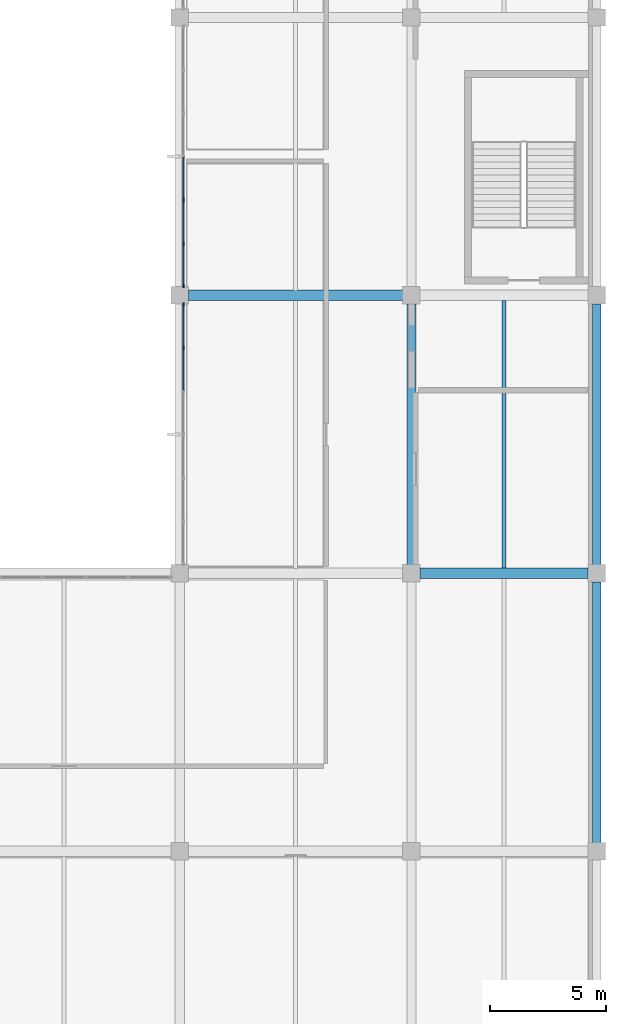
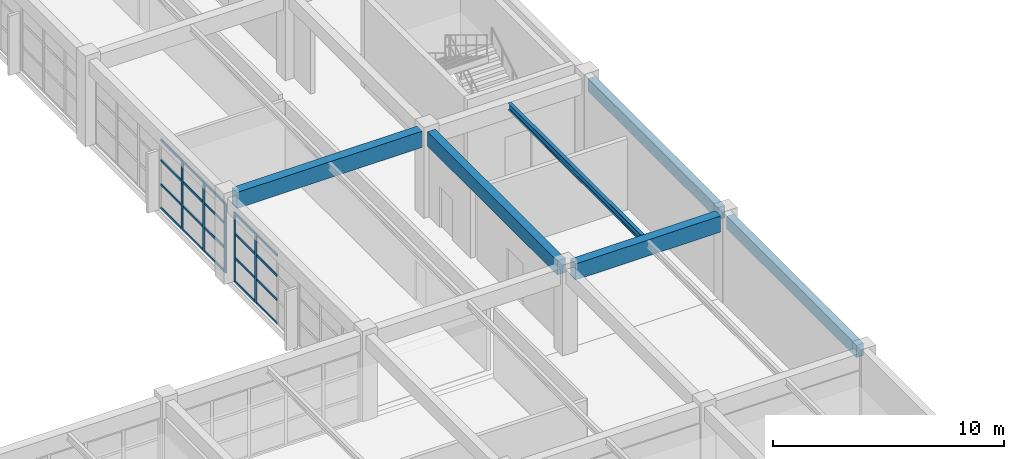
# One storey, part 54 of 109: 25 members, 6 beams, 2 elements without a shape of their own.
"""IFC4 building model written with IfcOpenShell, lengths in metres."""

from ifc_helpers import new_model, si_unit, direction, frame, origin, origin_2d, place, context, subcontext, project, spatial, rectangle, i_section, extrude, material, layer, layer_set, material_profile, profile_set, type_object, element, aggregate, save


model = new_model("IFC4")

# Units and contexts
model_context = context("Model", 3, precision=1e-05, world=origin(), true_north=direction((0.0, 1.0)))
body_context = subcontext(model_context, "Body", "Model", "MODEL_VIEW")
ifc_project = project(units=[si_unit("LENGTHUNIT", "METRE"), si_unit("AREAUNIT", "SQUARE_METRE"), si_unit("VOLUMEUNIT", "CUBIC_METRE"), si_unit("PLANEANGLEUNIT", "RADIAN"), si_unit("MASSUNIT", "GRAM", prefix="KILO")], contexts=[model_context])

# Site, building, storey
site_placement = place(None, origin())
site = spatial("IfcSite", under=ifc_project, at=site_placement, CompositionType="ELEMENT")
building_placement = place(site_placement, origin())
building = spatial("IfcBuilding", under=site, at=building_placement, Name="Kivolera Central Railway Station", CompositionType="ELEMENT")
storey_placement = place(building_placement, frame((0.0, 0.0, 9.60009765625)))
storey = spatial("IfcBuildingStorey", under=building, at=storey_placement, Name="L02", CompositionType="ELEMENT", Elevation=9.60009765625)

# Beams
ifc_material_1 = material(Name="Steel S355", Category="steel")
ifc_material_profile_1 = material_profile(ifc_material_1, i_section(OverallWidth=0.169921875, OverallDepth=0.360107421875, WebThickness=0.008056640625, FlangeThickness=0.0126953125, FilletRadius=0.01806640625, at=origin_2d()), Name="IPE 360")
ifc_profile_set_1 = profile_set([ifc_material_profile_1], Name="Steel S355")
beam_type_1 = type_object("IfcBeamType", Name="BM-JST-IPE360", PredefinedType="JOIST", material=ifc_profile_set_1)
beam_1_placement = place(storey_placement, frame((192.0, 78.217041015625, 4.327880859375), z_axis=(0.0, 1.0, 0.0), x_axis=(-1.0, 0.0, 0.0)))
element("IfcBeam", 1, at=beam_1_placement, inside=storey, type_object=beam_type_1, Name="L02 Floor Joist 19-20/G-H", PredefinedType="JOIST", context=body_context, shape_type="SweptSolid", body=[
    extrude(i_section(OverallWidth=0.169921875, OverallDepth=0.360107421875, WebThickness=0.008056640625, FlangeThickness=0.0126953125, FilletRadius=0.01806640625, at=origin_2d()), origin(), (0.0, 0.0, 1.0), 11.56591796875),
])
ifc_material_2 = material(Name="Concrete C40/50", Category="concrete")
ifc_material_profile_2 = material_profile(ifc_material_2, rectangle(XDim=0.39990234375, YDim=0.75, at=origin_2d()), Name="RC 400x750")
ifc_profile_set_2 = profile_set([ifc_material_profile_2], Name="Concrete C40/50")
beam_type_2 = type_object("IfcBeamType", Name="BM-RC-400x750", PredefinedType="BEAM", material=ifc_profile_set_2)
beam_2_placement = place(storey_placement, frame((188.0, 78.366943359375, 4.14501953125), z_axis=(0.0, 1.0, 0.0), x_axis=(-1.0, 0.0, 0.0)))
element("IfcBeam", 2, at=beam_2_placement, inside=storey, type_object=beam_type_2, Name="L02 Wing Y-Beam 19:G-H", PredefinedType="BEAM", context=body_context, shape_type="SweptSolid", body=[
    extrude(rectangle(XDim=0.39990234375, YDim=0.75, at=origin_2d()), origin(), (0.0, 0.0, 1.0), 11.26611328125),
])
ifc_material_profile_3 = material_profile(ifc_material_2, rectangle(XDim=0.449951171875, YDim=0.85009765625, at=origin_2d()), Name="RC 450x850")
ifc_profile_set_3 = profile_set([ifc_material_profile_3], Name="Concrete C40/50")
beam_type_3 = type_object("IfcBeamType", Name="BM-RC-450x850", PredefinedType="BEAM", material=ifc_profile_set_3)
beam_3_placement = place(storey_placement, frame((188.366943359375, 78.0, 4.094970703125), z_axis=(1.0, 0.0, 0.0), x_axis=(0.0, 1.0, 0.0)))
element("IfcBeam", 3, at=beam_3_placement, inside=storey, type_object=beam_type_3, Name="L02 Wing X-Beam G:19-20", PredefinedType="BEAM", context=body_context, shape_type="SweptSolid", body=[
    extrude(rectangle(XDim=0.449951171875, YDim=0.85009765625, at=origin_2d()), origin(), (0.0, 0.0, 1.0), 7.26611328125),
])
beam_4_placement = place(storey_placement, frame((178.366943359375, 90.0, 4.094970703125), z_axis=(1.0, 0.0, 0.0), x_axis=(0.0, 1.0, 0.0)))
element("IfcBeam", 4, at=beam_4_placement, inside=storey, type_object=beam_type_3, Name="L02 Wing X-Beam H:18-19", PredefinedType="BEAM", context=body_context, shape_type="SweptSolid", body=[
    extrude(rectangle(XDim=0.449951171875, YDim=0.85009765625, at=origin_2d()), origin(), (0.0, 0.0, 1.0), 9.26611328125),
])
ifc_material_profile_4 = material_profile(ifc_material_2, rectangle(XDim=0.35009765625, YDim=0.64990234375, at=origin_2d()), Name="RC 350x650")
ifc_profile_set_4 = profile_set([ifc_material_profile_4], Name="Concrete C40/50")
beam_type_4 = type_object("IfcBeamType", Name="BM-SPN-RC650", PredefinedType="SPANDREL", material=ifc_profile_set_4)
for number, where, z_axis, x_axis, name in (
    (5, (196.0, 66.366943359375, 4.19482421875), (0.0, 1.0, 0.0), (-1.0, 0.0, 0.0), "L02 Wing Y-Beam 20:F-G"),
    (6, (196.0, 78.366943359375, 4.19482421875), (0.0, 1.0, 0.0), (-1.0, 0.0, 0.0), "L02 Wing Y-Beam 20:G-H"),
):
    element("IfcBeam", number, at=place(storey_placement, frame(where, z_axis=z_axis, x_axis=x_axis)), inside=storey, type_object=beam_type_4, Name=name, PredefinedType="SPANDREL", context=body_context, shape_type="SweptSolid", body=[
        extrude(rectangle(XDim=0.35009765625, YDim=0.64990234375, at=origin_2d()), origin(), (0.0, 0.0, 1.0), 11.26611328125),
    ])

# Curtain wall, members
ifc_material_3 = material(Name="Anodised aluminium", Category="aluminium")
ifc_layer = layer(ifc_material_3, 0.179931640625, Name="Anodised aluminium")
ifc_layer_set = layer_set([ifc_layer], Name="Anodised aluminium")
curtain_wall_type = type_object("IfcCurtainWallType", Name="CW-SYS-28", PredefinedType="NOTDEFINED", material=ifc_layer_set)
curtain_wall_1_placement = place(storey_placement, origin())
curtain_wall_1 = element("IfcCurtainWall", 7, at=curtain_wall_1_placement, inside=storey, type_object=curtain_wall_type, Name="L02 Curtain Wall CW-L02-CRTE-G", PredefinedType="NOTDEFINED")
ifc_material_profile_5 = material_profile(ifc_material_3, rectangle(XDim=0.06005859375, YDim=0.14990234375, at=origin_2d()), Name="ALU MULL 60x150")
ifc_profile_set_5 = profile_set([ifc_material_profile_5], Name="Anodised aluminium")
member_type_1 = type_object("IfcMemberType", Name="CWM-MUL-2", PredefinedType="MULLION", material=ifc_profile_set_5)
member_1_placement = place(storey_placement, frame((178.153076171875, 87.75341796875, -0.005126953125), z_axis=(0.0, 0.0, 1.0), x_axis=(-1.0, 0.0, 0.0)))
member_1 = element("IfcMember", 8, at=member_1_placement, type_object=member_type_1, Name="CW-28 mullion 6", PredefinedType="MULLION", context=body_context, shape_type="SweptSolid", body=[
    extrude(rectangle(XDim=0.06005859375, YDim=0.14990234375, at=origin_2d()), origin(), (0.0, 0.0, 1.0), 3.6630859375),
])
member_2_placement = place(storey_placement, frame((178.153076171875, 89.60009765625, -0.005126953125), z_axis=(0.0, 0.0, 1.0), x_axis=(-1.0, 0.0, 0.0)))
member_2 = element("IfcMember", 9, at=member_2_placement, type_object=member_type_1, Name="CW-28 mullion 7", PredefinedType="MULLION", context=body_context, shape_type="SweptSolid", body=[
    extrude(rectangle(XDim=0.06005859375, YDim=0.14990234375, at=origin_2d()), origin(), (0.0, 0.0, 1.0), 3.6630859375),
])

curtain_wall_2_placement = place(storey_placement, origin())
curtain_wall_2 = element("IfcCurtainWall", 10, at=curtain_wall_2_placement, inside=storey, type_object=curtain_wall_type, Name="L02 Curtain Wall CW-L02-CRTE-H", PredefinedType="NOTDEFINED")
member_3_placement = place(storey_placement, frame((178.153076171875, 90.39990234375, -0.005126953125), z_axis=(0.0, 0.0, 1.0), x_axis=(-1.0, 0.0, 0.0)))
member_3 = element("IfcMember", 11, at=member_3_placement, type_object=member_type_1, Name="CW-28 mullion 1", PredefinedType="MULLION", context=body_context, shape_type="SweptSolid", body=[
    extrude(rectangle(XDim=0.06005859375, YDim=0.14990234375, at=origin_2d()), origin(), (0.0, 0.0, 1.0), 3.6630859375),
])
member_4_placement = place(storey_placement, frame((178.153076171875, 92.24658203125, -0.005126953125), z_axis=(0.0, 0.0, 1.0), x_axis=(-1.0, 0.0, 0.0)))
member_4 = element("IfcMember", 12, at=member_4_placement, type_object=member_type_1, Name="CW-28 mullion 2", PredefinedType="MULLION", context=body_context, shape_type="SweptSolid", body=[
    extrude(rectangle(XDim=0.06005859375, YDim=0.14990234375, at=origin_2d()), origin(), (0.0, 0.0, 1.0), 3.6630859375),
])
member_5_placement = place(storey_placement, frame((178.153076171875, 94.123291015625, -0.005126953125), z_axis=(0.0, 0.0, 1.0), x_axis=(-1.0, 0.0, 0.0)))
member_5 = element("IfcMember", 13, at=member_5_placement, type_object=member_type_1, Name="CW-28 mullion 3", PredefinedType="MULLION", context=body_context, shape_type="SweptSolid", body=[
    extrude(rectangle(XDim=0.06005859375, YDim=0.14990234375, at=origin_2d()), origin(), (0.0, 0.0, 1.0), 3.6630859375),
])

# Member
ifc_material_profile_6 = material_profile(ifc_material_3, rectangle(XDim=0.06005859375, YDim=0.1201171875, at=origin_2d()), Name="ALU TRAN 60x120")
ifc_profile_set_6 = profile_set([ifc_material_profile_6], Name="Anodised aluminium")
member_type_2 = type_object("IfcMemberType", Name="CWM-TRN-2", PredefinedType="USERDEFINED", material=ifc_profile_set_6)
member_6_placement = place(storey_placement, frame((178.153076171875, 85.90673828125, 0.02978515625), z_axis=(0.0, 1.0, 0.0), x_axis=(-1.0, 0.0, 0.0)))
member_6 = element("IfcMember", 14, at=member_6_placement, type_object=member_type_2, Name="CW-28 transom 5.1", ObjectType="TRANSOM", PredefinedType="USERDEFINED", context=body_context, shape_type="SweptSolid", body=[
    extrude(rectangle(XDim=0.06005859375, YDim=0.1201171875, at=origin_2d()), origin(), (0.0, 0.0, 1.0), 1.816650390625),
])

member_7_placement = place(storey_placement, frame((178.153076171875, 85.90673828125, 1.2802734375), z_axis=(0.0, 1.0, 0.0), x_axis=(-1.0, 0.0, 0.0)))
member_7 = element("IfcMember", 15, at=member_7_placement, type_object=member_type_2, Name="CW-28 transom 5.2", ObjectType="TRANSOM", PredefinedType="USERDEFINED", context=body_context, shape_type="SweptSolid", body=[
    extrude(rectangle(XDim=0.06005859375, YDim=0.1201171875, at=origin_2d()), origin(), (0.0, 0.0, 1.0), 1.816650390625),
])

member_8_placement = place(storey_placement, frame((178.153076171875, 85.90673828125, 2.560546875), z_axis=(0.0, 1.0, 0.0), x_axis=(-1.0, 0.0, 0.0)))
member_8 = element("IfcMember", 16, at=member_8_placement, type_object=member_type_2, Name="CW-28 transom 5.3", ObjectType="TRANSOM", PredefinedType="USERDEFINED", context=body_context, shape_type="SweptSolid", body=[
    extrude(rectangle(XDim=0.06005859375, YDim=0.1201171875, at=origin_2d()), origin(), (0.0, 0.0, 1.0), 1.816650390625),
])

member_9_placement = place(storey_placement, frame((178.153076171875, 85.90673828125, 3.6279296875), z_axis=(0.0, 1.0, 0.0), x_axis=(-1.0, 0.0, 0.0)))
member_9 = element("IfcMember", 17, at=member_9_placement, type_object=member_type_2, Name="CW-28 transom 5.4", ObjectType="TRANSOM", PredefinedType="USERDEFINED", context=body_context, shape_type="SweptSolid", body=[
    extrude(rectangle(XDim=0.06005859375, YDim=0.1201171875, at=origin_2d()), origin(), (0.0, 0.0, 1.0), 1.816650390625),
])

member_10_placement = place(storey_placement, frame((178.153076171875, 87.783447265625, 0.02978515625), z_axis=(0.0, 1.0, 0.0), x_axis=(-1.0, 0.0, 0.0)))
member_10 = element("IfcMember", 18, at=member_10_placement, type_object=member_type_2, Name="CW-28 transom 6.1", ObjectType="TRANSOM", PredefinedType="USERDEFINED", context=body_context, shape_type="SweptSolid", body=[
    extrude(rectangle(XDim=0.06005859375, YDim=0.1201171875, at=origin_2d()), origin(), (0.0, 0.0, 1.0), 1.78662109375),
])

member_11_placement = place(storey_placement, frame((178.153076171875, 87.783447265625, 1.2802734375), z_axis=(0.0, 1.0, 0.0), x_axis=(-1.0, 0.0, 0.0)))
member_11 = element("IfcMember", 19, at=member_11_placement, type_object=member_type_2, Name="CW-28 transom 6.2", ObjectType="TRANSOM", PredefinedType="USERDEFINED", context=body_context, shape_type="SweptSolid", body=[
    extrude(rectangle(XDim=0.06005859375, YDim=0.1201171875, at=origin_2d()), origin(), (0.0, 0.0, 1.0), 1.78662109375),
])

member_12_placement = place(storey_placement, frame((178.153076171875, 87.783447265625, 2.560546875), z_axis=(0.0, 1.0, 0.0), x_axis=(-1.0, 0.0, 0.0)))
member_12 = element("IfcMember", 20, at=member_12_placement, type_object=member_type_2, Name="CW-28 transom 6.3", ObjectType="TRANSOM", PredefinedType="USERDEFINED", context=body_context, shape_type="SweptSolid", body=[
    extrude(rectangle(XDim=0.06005859375, YDim=0.1201171875, at=origin_2d()), origin(), (0.0, 0.0, 1.0), 1.78662109375),
])

member_13_placement = place(storey_placement, frame((178.153076171875, 87.783447265625, 3.6279296875), z_axis=(0.0, 1.0, 0.0), x_axis=(-1.0, 0.0, 0.0)))
member_13 = element("IfcMember", 21, at=member_13_placement, type_object=member_type_2, Name="CW-28 transom 6.4", ObjectType="TRANSOM", PredefinedType="USERDEFINED", context=body_context, shape_type="SweptSolid", body=[
    extrude(rectangle(XDim=0.06005859375, YDim=0.1201171875, at=origin_2d()), origin(), (0.0, 0.0, 1.0), 1.78662109375),
])

aggregate(curtain_wall_1, [member_1, member_2, member_6, member_7, member_8, member_9, member_10, member_11, member_12, member_13])

member_14_placement = place(storey_placement, frame((178.153076171875, 90.429931640625, 0.02978515625), z_axis=(0.0, 1.0, 0.0), x_axis=(-1.0, 0.0, 0.0)))
member_14 = element("IfcMember", 22, at=member_14_placement, type_object=member_type_2, Name="CW-28 transom 1.1", ObjectType="TRANSOM", PredefinedType="USERDEFINED", context=body_context, shape_type="SweptSolid", body=[
    extrude(rectangle(XDim=0.06005859375, YDim=0.1201171875, at=origin_2d()), origin(), (0.0, 0.0, 1.0), 1.78662109375),
])

member_15_placement = place(storey_placement, frame((178.153076171875, 90.429931640625, 1.2802734375), z_axis=(0.0, 1.0, 0.0), x_axis=(-1.0, 0.0, 0.0)))
member_15 = element("IfcMember", 23, at=member_15_placement, type_object=member_type_2, Name="CW-28 transom 1.2", ObjectType="TRANSOM", PredefinedType="USERDEFINED", context=body_context, shape_type="SweptSolid", body=[
    extrude(rectangle(XDim=0.06005859375, YDim=0.1201171875, at=origin_2d()), origin(), (0.0, 0.0, 1.0), 1.78662109375),
])

member_16_placement = place(storey_placement, frame((178.153076171875, 90.429931640625, 2.560546875), z_axis=(0.0, 1.0, 0.0), x_axis=(-1.0, 0.0, 0.0)))
member_16 = element("IfcMember", 24, at=member_16_placement, type_object=member_type_2, Name="CW-28 transom 1.3", ObjectType="TRANSOM", PredefinedType="USERDEFINED", context=body_context, shape_type="SweptSolid", body=[
    extrude(rectangle(XDim=0.06005859375, YDim=0.1201171875, at=origin_2d()), origin(), (0.0, 0.0, 1.0), 1.78662109375),
])

member_17_placement = place(storey_placement, frame((178.153076171875, 90.429931640625, 3.6279296875), z_axis=(0.0, 1.0, 0.0), x_axis=(-1.0, 0.0, 0.0)))
member_17 = element("IfcMember", 25, at=member_17_placement, type_object=member_type_2, Name="CW-28 transom 1.4", ObjectType="TRANSOM", PredefinedType="USERDEFINED", context=body_context, shape_type="SweptSolid", body=[
    extrude(rectangle(XDim=0.06005859375, YDim=0.1201171875, at=origin_2d()), origin(), (0.0, 0.0, 1.0), 1.78662109375),
])

member_18_placement = place(storey_placement, frame((178.153076171875, 92.276611328125, 0.02978515625), z_axis=(0.0, 1.0, 0.0), x_axis=(-1.0, 0.0, 0.0)))
member_18 = element("IfcMember", 26, at=member_18_placement, type_object=member_type_2, Name="CW-28 transom 2.1", ObjectType="TRANSOM", PredefinedType="USERDEFINED", context=body_context, shape_type="SweptSolid", body=[
    extrude(rectangle(XDim=0.06005859375, YDim=0.1201171875, at=origin_2d()), origin(), (0.0, 0.0, 1.0), 1.816650390625),
])

member_19_placement = place(storey_placement, frame((178.153076171875, 92.276611328125, 1.2802734375), z_axis=(0.0, 1.0, 0.0), x_axis=(-1.0, 0.0, 0.0)))
member_19 = element("IfcMember", 27, at=member_19_placement, type_object=member_type_2, Name="CW-28 transom 2.2", ObjectType="TRANSOM", PredefinedType="USERDEFINED", context=body_context, shape_type="SweptSolid", body=[
    extrude(rectangle(XDim=0.06005859375, YDim=0.1201171875, at=origin_2d()), origin(), (0.0, 0.0, 1.0), 1.816650390625),
])

member_20_placement = place(storey_placement, frame((178.153076171875, 92.276611328125, 2.560546875), z_axis=(0.0, 1.0, 0.0), x_axis=(-1.0, 0.0, 0.0)))
member_20 = element("IfcMember", 28, at=member_20_placement, type_object=member_type_2, Name="CW-28 transom 2.3", ObjectType="TRANSOM", PredefinedType="USERDEFINED", context=body_context, shape_type="SweptSolid", body=[
    extrude(rectangle(XDim=0.06005859375, YDim=0.1201171875, at=origin_2d()), origin(), (0.0, 0.0, 1.0), 1.816650390625),
])

member_21_placement = place(storey_placement, frame((178.153076171875, 92.276611328125, 3.6279296875), z_axis=(0.0, 1.0, 0.0), x_axis=(-1.0, 0.0, 0.0)))
member_21 = element("IfcMember", 29, at=member_21_placement, type_object=member_type_2, Name="CW-28 transom 2.4", ObjectType="TRANSOM", PredefinedType="USERDEFINED", context=body_context, shape_type="SweptSolid", body=[
    extrude(rectangle(XDim=0.06005859375, YDim=0.1201171875, at=origin_2d()), origin(), (0.0, 0.0, 1.0), 1.816650390625),
])

member_22_placement = place(storey_placement, frame((178.153076171875, 94.1533203125, 0.02978515625), z_axis=(0.0, 1.0, 0.0), x_axis=(-1.0, 0.0, 0.0)))
member_22 = element("IfcMember", 30, at=member_22_placement, type_object=member_type_2, Name="CW-28 transom 3.1", ObjectType="TRANSOM", PredefinedType="USERDEFINED", context=body_context, shape_type="SweptSolid", body=[
    extrude(rectangle(XDim=0.06005859375, YDim=0.1201171875, at=origin_2d()), origin(), (0.0, 0.0, 1.0), 1.816650390625),
])

member_23_placement = place(storey_placement, frame((178.153076171875, 94.1533203125, 1.2802734375), z_axis=(0.0, 1.0, 0.0), x_axis=(-1.0, 0.0, 0.0)))
member_23 = element("IfcMember", 31, at=member_23_placement, type_object=member_type_2, Name="CW-28 transom 3.2", ObjectType="TRANSOM", PredefinedType="USERDEFINED", context=body_context, shape_type="SweptSolid", body=[
    extrude(rectangle(XDim=0.06005859375, YDim=0.1201171875, at=origin_2d()), origin(), (0.0, 0.0, 1.0), 1.816650390625),
])

member_24_placement = place(storey_placement, frame((178.153076171875, 94.1533203125, 2.560546875), z_axis=(0.0, 1.0, 0.0), x_axis=(-1.0, 0.0, 0.0)))
member_24 = element("IfcMember", 32, at=member_24_placement, type_object=member_type_2, Name="CW-28 transom 3.3", ObjectType="TRANSOM", PredefinedType="USERDEFINED", context=body_context, shape_type="SweptSolid", body=[
    extrude(rectangle(XDim=0.06005859375, YDim=0.1201171875, at=origin_2d()), origin(), (0.0, 0.0, 1.0), 1.816650390625),
])

member_25_placement = place(storey_placement, frame((178.153076171875, 94.1533203125, 3.6279296875), z_axis=(0.0, 1.0, 0.0), x_axis=(-1.0, 0.0, 0.0)))
member_25 = element("IfcMember", 33, at=member_25_placement, type_object=member_type_2, Name="CW-28 transom 3.4", ObjectType="TRANSOM", PredefinedType="USERDEFINED", context=body_context, shape_type="SweptSolid", body=[
    extrude(rectangle(XDim=0.06005859375, YDim=0.1201171875, at=origin_2d()), origin(), (0.0, 0.0, 1.0), 1.816650390625),
])

aggregate(curtain_wall_2, [member_3, member_4, member_5, member_14, member_15, member_16, member_17, member_18, member_19, member_20, member_21, member_22, member_23, member_24, member_25])

save(model, "model.ifc")
